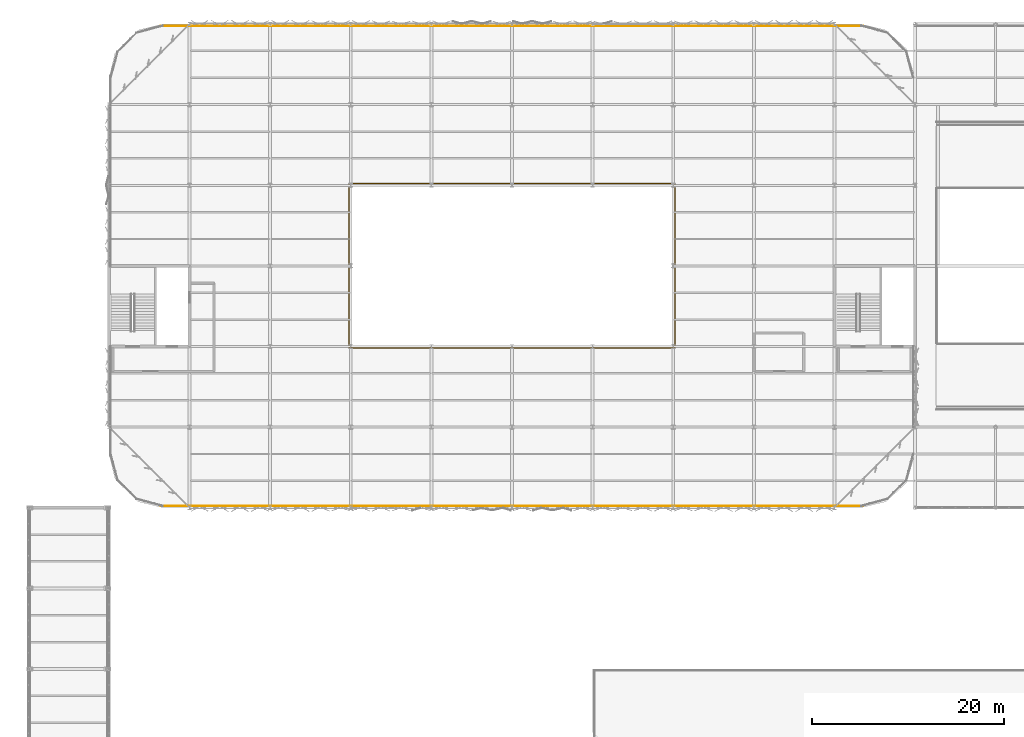
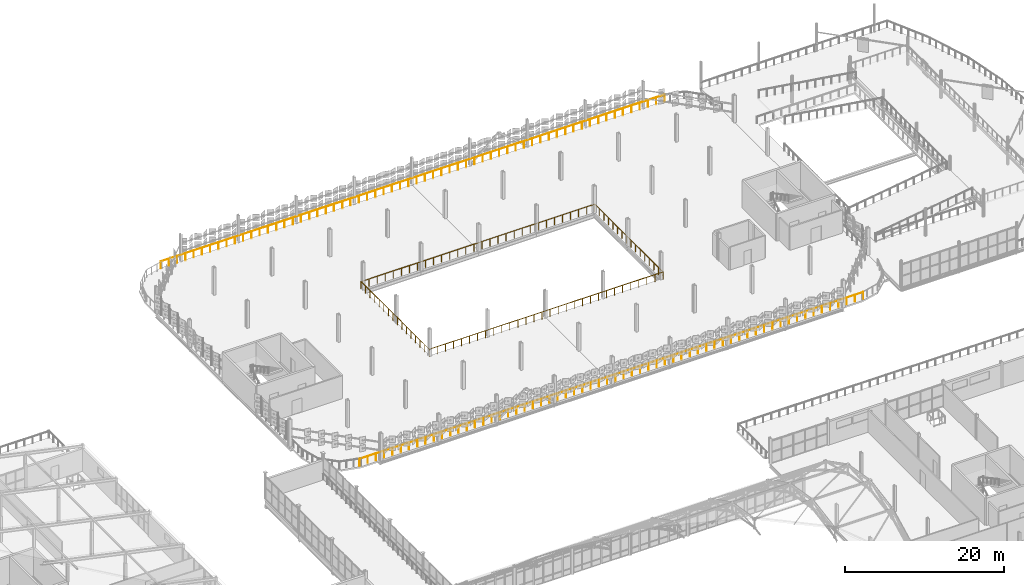
# One storey, part 179 of 184: 3 railings.
"""IFC4 building model written with IfcOpenShell, lengths in metres."""

from ifc_helpers import new_model, si_unit, direction, frame, origin, origin_2d, place, context, subcontext, project, spatial, circle, extrude, material, type_object, element, save


model = new_model("IFC4")

# Units and contexts
model_context = context("Model", 3, precision=1e-05, world=origin(), true_north=direction((0.0, 1.0)))
body_context = subcontext(model_context, "Body", "Model", "MODEL_VIEW")
ifc_project = project(units=[si_unit("LENGTHUNIT", "METRE"), si_unit("AREAUNIT", "SQUARE_METRE"), si_unit("VOLUMEUNIT", "CUBIC_METRE"), si_unit("PLANEANGLEUNIT", "RADIAN"), si_unit("MASSUNIT", "GRAM", prefix="KILO")], contexts=[model_context])

# Site, building, storey
site_placement = place(None, origin())
site = spatial("IfcSite", under=ifc_project, at=site_placement, CompositionType="ELEMENT")
building_placement = place(site_placement, origin())
building = spatial("IfcBuilding", under=site, at=building_placement, Name="Qalvenar Corner Mobility Hub", CompositionType="ELEMENT")
storey_placement = place(building_placement, frame((0.0, 0.0, 9.0)))
storey = spatial("IfcBuildingStorey", under=building, at=storey_placement, Name="L02", CompositionType="ELEMENT", Elevation=9.0)

# Railings
ifc_material = material(Name="Galvanised Steel Deck Edge Barrier", Category="steel")
railing_type = type_object("IfcRailingType", Name="RL-GUARD-115", PredefinedType="GUARDRAIL", material=ifc_material)
railing_1_placement = place(storey_placement, frame((64.199951171875, 67.3798828125, 0.0)))
element("IfcRailing", 1, at=railing_1_placement, inside=storey, type_object=railing_type, Name="Parking Deck South Barrier L02", PredefinedType="GUARDRAIL", context=body_context, shape_type="SweptSolid", body=[
    extrude(circle(Radius=0.02392578125, at=origin_2d()), frame((0.0, 0.0, 1.1259765625), z_axis=(1.0, 0.0, 0.0), x_axis=(0.0, 1.0, 0.0)), (0.0, 0.0, 1.0), 73.199951171875),
    extrude(circle(Radius=0.02099609375, at=origin_2d()), origin(), (0.0, 0.0, 1.0), 1.101806640625),
    extrude(circle(Radius=0.02099609375, at=origin_2d()), frame((1.199951171875, 0.0, 0.0)), (0.0, 0.0, 1.0), 1.101806640625),
    extrude(circle(Radius=0.02099609375, at=origin_2d()), frame((2.39990234375, 0.0, 0.0)), (0.0, 0.0, 1.0), 1.101806640625),
    extrude(circle(Radius=0.02099609375, at=origin_2d()), frame((3.60009765625, 0.0, 0.0)), (0.0, 0.0, 1.0), 1.101806640625),
    extrude(circle(Radius=0.02099609375, at=origin_2d()), frame((4.800048828125, 0.0, 0.0)), (0.0, 0.0, 1.0), 1.101806640625),
    extrude(circle(Radius=0.02099609375, at=origin_2d()), frame((6.0, 0.0, 0.0)), (0.0, 0.0, 1.0), 1.101806640625),
    extrude(circle(Radius=0.02099609375, at=origin_2d()), frame((7.199951171875, 0.0, 0.0)), (0.0, 0.0, 1.0), 1.101806640625),
    extrude(circle(Radius=0.02099609375, at=origin_2d()), frame((8.39990234375, 0.0, 0.0)), (0.0, 0.0, 1.0), 1.101806640625),
    extrude(circle(Radius=0.02099609375, at=origin_2d()), frame((9.60009765625, 0.0, 0.0)), (0.0, 0.0, 1.0), 1.101806640625),
    extrude(circle(Radius=0.02099609375, at=origin_2d()), frame((10.800048828125, 0.0, 0.0)), (0.0, 0.0, 1.0), 1.101806640625),
    extrude(circle(Radius=0.02099609375, at=origin_2d()), frame((12.0, 0.0, 0.0)), (0.0, 0.0, 1.0), 1.101806640625),
    extrude(circle(Radius=0.02099609375, at=origin_2d()), frame((13.199951171875, 0.0, 0.0)), (0.0, 0.0, 1.0), 1.101806640625),
    extrude(circle(Radius=0.02099609375, at=origin_2d()), frame((14.39990234375, 0.0, 0.0)), (0.0, 0.0, 1.0), 1.101806640625),
    extrude(circle(Radius=0.02099609375, at=origin_2d()), frame((15.60009765625, 0.0, 0.0)), (0.0, 0.0, 1.0), 1.101806640625),
    extrude(circle(Radius=0.02099609375, at=origin_2d()), frame((16.800048828125, 0.0, 0.0)), (0.0, 0.0, 1.0), 1.101806640625),
    extrude(circle(Radius=0.02099609375, at=origin_2d()), frame((18.0, 0.0, 0.0)), (0.0, 0.0, 1.0), 1.101806640625),
    extrude(circle(Radius=0.02099609375, at=origin_2d()), frame((19.199951171875, 0.0, 0.0)), (0.0, 0.0, 1.0), 1.101806640625),
    extrude(circle(Radius=0.02099609375, at=origin_2d()), frame((20.39990234375, 0.0, 0.0)), (0.0, 0.0, 1.0), 1.101806640625),
    extrude(circle(Radius=0.02099609375, at=origin_2d()), frame((21.60009765625, 0.0, 0.0)), (0.0, 0.0, 1.0), 1.101806640625),
    extrude(circle(Radius=0.02099609375, at=origin_2d()), frame((22.800048828125, 0.0, 0.0)), (0.0, 0.0, 1.0), 1.101806640625),
    extrude(circle(Radius=0.02099609375, at=origin_2d()), frame((24.0, 0.0, 0.0)), (0.0, 0.0, 1.0), 1.101806640625),
    extrude(circle(Radius=0.02099609375, at=origin_2d()), frame((25.199951171875, 0.0, 0.0)), (0.0, 0.0, 1.0), 1.101806640625),
    extrude(circle(Radius=0.02099609375, at=origin_2d()), frame((26.39990234375, 0.0, 0.0)), (0.0, 0.0, 1.0), 1.101806640625),
    extrude(circle(Radius=0.02099609375, at=origin_2d()), frame((27.60009765625, 0.0, 0.0)), (0.0, 0.0, 1.0), 1.101806640625),
    extrude(circle(Radius=0.02099609375, at=origin_2d()), frame((28.800048828125, 0.0, 0.0)), (0.0, 0.0, 1.0), 1.101806640625),
    extrude(circle(Radius=0.02099609375, at=origin_2d()), frame((30.0, 0.0, 0.0)), (0.0, 0.0, 1.0), 1.101806640625),
    extrude(circle(Radius=0.02099609375, at=origin_2d()), frame((31.199951171875, 0.0, 0.0)), (0.0, 0.0, 1.0), 1.101806640625),
    extrude(circle(Radius=0.02099609375, at=origin_2d()), frame((32.39990234375, 0.0, 0.0)), (0.0, 0.0, 1.0), 1.101806640625),
    extrude(circle(Radius=0.02099609375, at=origin_2d()), frame((33.60009765625, 0.0, 0.0)), (0.0, 0.0, 1.0), 1.101806640625),
    extrude(circle(Radius=0.02099609375, at=origin_2d()), frame((34.800048828125, 0.0, 0.0)), (0.0, 0.0, 1.0), 1.101806640625),
    extrude(circle(Radius=0.02099609375, at=origin_2d()), frame((36.0, 0.0, 0.0)), (0.0, 0.0, 1.0), 1.101806640625),
    extrude(circle(Radius=0.02099609375, at=origin_2d()), frame((37.199951171875, 0.0, 0.0)), (0.0, 0.0, 1.0), 1.101806640625),
    extrude(circle(Radius=0.02099609375, at=origin_2d()), frame((38.39990234375, 0.0, 0.0)), (0.0, 0.0, 1.0), 1.101806640625),
    extrude(circle(Radius=0.02099609375, at=origin_2d()), frame((39.599853515625, 0.0, 0.0)), (0.0, 0.0, 1.0), 1.101806640625),
    extrude(circle(Radius=0.02099609375, at=origin_2d()), frame((40.800048828125, 0.0, 0.0)), (0.0, 0.0, 1.0), 1.101806640625),
    extrude(circle(Radius=0.02099609375, at=origin_2d()), frame((42.0, 0.0, 0.0)), (0.0, 0.0, 1.0), 1.101806640625),
    extrude(circle(Radius=0.02099609375, at=origin_2d()), frame((43.199951171875, 0.0, 0.0)), (0.0, 0.0, 1.0), 1.101806640625),
    extrude(circle(Radius=0.02099609375, at=origin_2d()), frame((44.39990234375, 0.0, 0.0)), (0.0, 0.0, 1.0), 1.101806640625),
    extrude(circle(Radius=0.02099609375, at=origin_2d()), frame((45.599853515625, 0.0, 0.0)), (0.0, 0.0, 1.0), 1.101806640625),
    extrude(circle(Radius=0.02099609375, at=origin_2d()), frame((46.800048828125, 0.0, 0.0)), (0.0, 0.0, 1.0), 1.101806640625),
    extrude(circle(Radius=0.02099609375, at=origin_2d()), frame((48.0, 0.0, 0.0)), (0.0, 0.0, 1.0), 1.101806640625),
    extrude(circle(Radius=0.02099609375, at=origin_2d()), frame((49.199951171875, 0.0, 0.0)), (0.0, 0.0, 1.0), 1.101806640625),
    extrude(circle(Radius=0.02099609375, at=origin_2d()), frame((50.39990234375, 0.0, 0.0)), (0.0, 0.0, 1.0), 1.101806640625),
    extrude(circle(Radius=0.02099609375, at=origin_2d()), frame((51.599853515625, 0.0, 0.0)), (0.0, 0.0, 1.0), 1.101806640625),
    extrude(circle(Radius=0.02099609375, at=origin_2d()), frame((52.800048828125, 0.0, 0.0)), (0.0, 0.0, 1.0), 1.101806640625),
    extrude(circle(Radius=0.02099609375, at=origin_2d()), frame((54.0, 0.0, 0.0)), (0.0, 0.0, 1.0), 1.101806640625),
    extrude(circle(Radius=0.02099609375, at=origin_2d()), frame((55.199951171875, 0.0, 0.0)), (0.0, 0.0, 1.0), 1.101806640625),
    extrude(circle(Radius=0.02099609375, at=origin_2d()), frame((56.39990234375, 0.0, 0.0)), (0.0, 0.0, 1.0), 1.101806640625),
    extrude(circle(Radius=0.02099609375, at=origin_2d()), frame((57.599853515625, 0.0, 0.0)), (0.0, 0.0, 1.0), 1.101806640625),
    extrude(circle(Radius=0.02099609375, at=origin_2d()), frame((58.800048828125, 0.0, 0.0)), (0.0, 0.0, 1.0), 1.101806640625),
    extrude(circle(Radius=0.02099609375, at=origin_2d()), frame((60.0, 0.0, 0.0)), (0.0, 0.0, 1.0), 1.101806640625),
    extrude(circle(Radius=0.02099609375, at=origin_2d()), frame((61.199951171875, 0.0, 0.0)), (0.0, 0.0, 1.0), 1.101806640625),
    extrude(circle(Radius=0.02099609375, at=origin_2d()), frame((62.39990234375, 0.0, 0.0)), (0.0, 0.0, 1.0), 1.101806640625),
    extrude(circle(Radius=0.02099609375, at=origin_2d()), frame((63.599853515625, 0.0, 0.0)), (0.0, 0.0, 1.0), 1.101806640625),
    extrude(circle(Radius=0.02099609375, at=origin_2d()), frame((64.800048828125, 0.0, 0.0)), (0.0, 0.0, 1.0), 1.101806640625),
    extrude(circle(Radius=0.02099609375, at=origin_2d()), frame((66.0, 0.0, 0.0)), (0.0, 0.0, 1.0), 1.101806640625),
    extrude(circle(Radius=0.02099609375, at=origin_2d()), frame((67.199951171875, 0.0, 0.0)), (0.0, 0.0, 1.0), 1.101806640625),
    extrude(circle(Radius=0.02099609375, at=origin_2d()), frame((68.39990234375, 0.0, 0.0)), (0.0, 0.0, 1.0), 1.101806640625),
    extrude(circle(Radius=0.02099609375, at=origin_2d()), frame((69.599853515625, 0.0, 0.0)), (0.0, 0.0, 1.0), 1.101806640625),
    extrude(circle(Radius=0.02099609375, at=origin_2d()), frame((70.800048828125, 0.0, 0.0)), (0.0, 0.0, 1.0), 1.101806640625),
    extrude(circle(Radius=0.02099609375, at=origin_2d()), frame((72.0, 0.0, 0.0)), (0.0, 0.0, 1.0), 1.101806640625),
    extrude(circle(Radius=0.02099609375, at=origin_2d()), frame((73.199951171875, 0.0, 0.0)), (0.0, 0.0, 1.0), 1.101806640625),
])
railing_2_placement = place(storey_placement, frame((137.39990234375, 117.419921875, 0.0)))
element("IfcRailing", 2, at=railing_2_placement, inside=storey, type_object=railing_type, Name="Parking Deck North Barrier L02", PredefinedType="GUARDRAIL", context=body_context, shape_type="SweptSolid", body=[
    extrude(circle(Radius=0.02392578125, at=origin_2d()), frame((0.0, 0.0, 1.1259765625), z_axis=(-1.0, 0.0, 0.0), x_axis=(0.0, -1.0, 0.0)), (0.0, 0.0, 1.0), 73.199951171875),
    extrude(circle(Radius=0.02099609375, at=origin_2d()), origin(), (0.0, 0.0, 1.0), 1.101806640625),
    extrude(circle(Radius=0.02099609375, at=origin_2d()), frame((-1.199951171875, 0.0, 0.0)), (0.0, 0.0, 1.0), 1.101806640625),
    extrude(circle(Radius=0.02099609375, at=origin_2d()), frame((-2.39990234375, 0.0, 0.0)), (0.0, 0.0, 1.0), 1.101806640625),
    extrude(circle(Radius=0.02099609375, at=origin_2d()), frame((-3.60009765625, 0.0, 0.0)), (0.0, 0.0, 1.0), 1.101806640625),
    extrude(circle(Radius=0.02099609375, at=origin_2d()), frame((-4.800048828125, 0.0, 0.0)), (0.0, 0.0, 1.0), 1.101806640625),
    extrude(circle(Radius=0.02099609375, at=origin_2d()), frame((-6.0, 0.0, 0.0)), (0.0, 0.0, 1.0), 1.101806640625),
    extrude(circle(Radius=0.02099609375, at=origin_2d()), frame((-7.199951171875, 0.0, 0.0)), (0.0, 0.0, 1.0), 1.101806640625),
    extrude(circle(Radius=0.02099609375, at=origin_2d()), frame((-8.39990234375, 0.0, 0.0)), (0.0, 0.0, 1.0), 1.101806640625),
    extrude(circle(Radius=0.02099609375, at=origin_2d()), frame((-9.60009765625, 0.0, 0.0)), (0.0, 0.0, 1.0), 1.101806640625),
    extrude(circle(Radius=0.02099609375, at=origin_2d()), frame((-10.800048828125, 0.0, 0.0)), (0.0, 0.0, 1.0), 1.101806640625),
    extrude(circle(Radius=0.02099609375, at=origin_2d()), frame((-12.0, 0.0, 0.0)), (0.0, 0.0, 1.0), 1.101806640625),
    extrude(circle(Radius=0.02099609375, at=origin_2d()), frame((-13.199951171875, 0.0, 0.0)), (0.0, 0.0, 1.0), 1.101806640625),
    extrude(circle(Radius=0.02099609375, at=origin_2d()), frame((-14.39990234375, 0.0, 0.0)), (0.0, 0.0, 1.0), 1.101806640625),
    extrude(circle(Radius=0.02099609375, at=origin_2d()), frame((-15.60009765625, 0.0, 0.0)), (0.0, 0.0, 1.0), 1.101806640625),
    extrude(circle(Radius=0.02099609375, at=origin_2d()), frame((-16.800048828125, 0.0, 0.0)), (0.0, 0.0, 1.0), 1.101806640625),
    extrude(circle(Radius=0.02099609375, at=origin_2d()), frame((-18.0, 0.0, 0.0)), (0.0, 0.0, 1.0), 1.101806640625),
    extrude(circle(Radius=0.02099609375, at=origin_2d()), frame((-19.199951171875, 0.0, 0.0)), (0.0, 0.0, 1.0), 1.101806640625),
    extrude(circle(Radius=0.02099609375, at=origin_2d()), frame((-20.39990234375, 0.0, 0.0)), (0.0, 0.0, 1.0), 1.101806640625),
    extrude(circle(Radius=0.02099609375, at=origin_2d()), frame((-21.60009765625, 0.0, 0.0)), (0.0, 0.0, 1.0), 1.101806640625),
    extrude(circle(Radius=0.02099609375, at=origin_2d()), frame((-22.800048828125, 0.0, 0.0)), (0.0, 0.0, 1.0), 1.101806640625),
    extrude(circle(Radius=0.02099609375, at=origin_2d()), frame((-24.0, 0.0, 0.0)), (0.0, 0.0, 1.0), 1.101806640625),
    extrude(circle(Radius=0.02099609375, at=origin_2d()), frame((-25.199951171875, 0.0, 0.0)), (0.0, 0.0, 1.0), 1.101806640625),
    extrude(circle(Radius=0.02099609375, at=origin_2d()), frame((-26.39990234375, 0.0, 0.0)), (0.0, 0.0, 1.0), 1.101806640625),
    extrude(circle(Radius=0.02099609375, at=origin_2d()), frame((-27.60009765625, 0.0, 0.0)), (0.0, 0.0, 1.0), 1.101806640625),
    extrude(circle(Radius=0.02099609375, at=origin_2d()), frame((-28.800048828125, 0.0, 0.0)), (0.0, 0.0, 1.0), 1.101806640625),
    extrude(circle(Radius=0.02099609375, at=origin_2d()), frame((-30.0, 0.0, 0.0)), (0.0, 0.0, 1.0), 1.101806640625),
    extrude(circle(Radius=0.02099609375, at=origin_2d()), frame((-31.199951171875, 0.0, 0.0)), (0.0, 0.0, 1.0), 1.101806640625),
    extrude(circle(Radius=0.02099609375, at=origin_2d()), frame((-32.39990234375, 0.0, 0.0)), (0.0, 0.0, 1.0), 1.101806640625),
    extrude(circle(Radius=0.02099609375, at=origin_2d()), frame((-33.60009765625, 0.0, 0.0)), (0.0, 0.0, 1.0), 1.101806640625),
    extrude(circle(Radius=0.02099609375, at=origin_2d()), frame((-34.800048828125, 0.0, 0.0)), (0.0, 0.0, 1.0), 1.101806640625),
    extrude(circle(Radius=0.02099609375, at=origin_2d()), frame((-36.0, 0.0, 0.0)), (0.0, 0.0, 1.0), 1.101806640625),
    extrude(circle(Radius=0.02099609375, at=origin_2d()), frame((-37.199951171875, 0.0, 0.0)), (0.0, 0.0, 1.0), 1.101806640625),
    extrude(circle(Radius=0.02099609375, at=origin_2d()), frame((-38.39990234375, 0.0, 0.0)), (0.0, 0.0, 1.0), 1.101806640625),
    extrude(circle(Radius=0.02099609375, at=origin_2d()), frame((-39.599853515625, 0.0, 0.0)), (0.0, 0.0, 1.0), 1.101806640625),
    extrude(circle(Radius=0.02099609375, at=origin_2d()), frame((-40.800048828125, 0.0, 0.0)), (0.0, 0.0, 1.0), 1.101806640625),
    extrude(circle(Radius=0.02099609375, at=origin_2d()), frame((-42.0, 0.0, 0.0)), (0.0, 0.0, 1.0), 1.101806640625),
    extrude(circle(Radius=0.02099609375, at=origin_2d()), frame((-43.199951171875, 0.0, 0.0)), (0.0, 0.0, 1.0), 1.101806640625),
    extrude(circle(Radius=0.02099609375, at=origin_2d()), frame((-44.39990234375, 0.0, 0.0)), (0.0, 0.0, 1.0), 1.101806640625),
    extrude(circle(Radius=0.02099609375, at=origin_2d()), frame((-45.599853515625, 0.0, 0.0)), (0.0, 0.0, 1.0), 1.101806640625),
    extrude(circle(Radius=0.02099609375, at=origin_2d()), frame((-46.800048828125, 0.0, 0.0)), (0.0, 0.0, 1.0), 1.101806640625),
    extrude(circle(Radius=0.02099609375, at=origin_2d()), frame((-48.0, 0.0, 0.0)), (0.0, 0.0, 1.0), 1.101806640625),
    extrude(circle(Radius=0.02099609375, at=origin_2d()), frame((-49.199951171875, 0.0, 0.0)), (0.0, 0.0, 1.0), 1.101806640625),
    extrude(circle(Radius=0.02099609375, at=origin_2d()), frame((-50.39990234375, 0.0, 0.0)), (0.0, 0.0, 1.0), 1.101806640625),
    extrude(circle(Radius=0.02099609375, at=origin_2d()), frame((-51.599853515625, 0.0, 0.0)), (0.0, 0.0, 1.0), 1.101806640625),
    extrude(circle(Radius=0.02099609375, at=origin_2d()), frame((-52.800048828125, 0.0, 0.0)), (0.0, 0.0, 1.0), 1.101806640625),
    extrude(circle(Radius=0.02099609375, at=origin_2d()), frame((-54.0, 0.0, 0.0)), (0.0, 0.0, 1.0), 1.101806640625),
    extrude(circle(Radius=0.02099609375, at=origin_2d()), frame((-55.199951171875, 0.0, 0.0)), (0.0, 0.0, 1.0), 1.101806640625),
    extrude(circle(Radius=0.02099609375, at=origin_2d()), frame((-56.39990234375, 0.0, 0.0)), (0.0, 0.0, 1.0), 1.101806640625),
    extrude(circle(Radius=0.02099609375, at=origin_2d()), frame((-57.599853515625, 0.0, 0.0)), (0.0, 0.0, 1.0), 1.101806640625),
    extrude(circle(Radius=0.02099609375, at=origin_2d()), frame((-58.800048828125, 0.0, 0.0)), (0.0, 0.0, 1.0), 1.101806640625),
    extrude(circle(Radius=0.02099609375, at=origin_2d()), frame((-60.0, 0.0, 0.0)), (0.0, 0.0, 1.0), 1.101806640625),
    extrude(circle(Radius=0.02099609375, at=origin_2d()), frame((-61.199951171875, 0.0, 0.0)), (0.0, 0.0, 1.0), 1.101806640625),
    extrude(circle(Radius=0.02099609375, at=origin_2d()), frame((-62.39990234375, 0.0, 0.0)), (0.0, 0.0, 1.0), 1.101806640625),
    extrude(circle(Radius=0.02099609375, at=origin_2d()), frame((-63.599853515625, 0.0, 0.0)), (0.0, 0.0, 1.0), 1.101806640625),
    extrude(circle(Radius=0.02099609375, at=origin_2d()), frame((-64.800048828125, 0.0, 0.0)), (0.0, 0.0, 1.0), 1.101806640625),
    extrude(circle(Radius=0.02099609375, at=origin_2d()), frame((-66.0, 0.0, 0.0)), (0.0, 0.0, 1.0), 1.101806640625),
    extrude(circle(Radius=0.02099609375, at=origin_2d()), frame((-67.199951171875, 0.0, 0.0)), (0.0, 0.0, 1.0), 1.101806640625),
    extrude(circle(Radius=0.02099609375, at=origin_2d()), frame((-68.39990234375, 0.0, 0.0)), (0.0, 0.0, 1.0), 1.101806640625),
    extrude(circle(Radius=0.02099609375, at=origin_2d()), frame((-69.599853515625, 0.0, 0.0)), (0.0, 0.0, 1.0), 1.101806640625),
    extrude(circle(Radius=0.02099609375, at=origin_2d()), frame((-70.800048828125, 0.0, 0.0)), (0.0, 0.0, 1.0), 1.101806640625),
    extrude(circle(Radius=0.02099609375, at=origin_2d()), frame((-72.0, 0.0, 0.0)), (0.0, 0.0, 1.0), 1.101806640625),
    extrude(circle(Radius=0.02099609375, at=origin_2d()), frame((-73.199951171875, 0.0, 0.0)), (0.0, 0.0, 1.0), 1.101806640625),
])
railing_3_placement = place(storey_placement, frame((83.820068359375, 83.820068359375, 0.0)))
element("IfcRailing", 3, at=railing_3_placement, inside=storey, type_object=railing_type, Name="Lightwell Perimeter Guardrail L02", PredefinedType="GUARDRAIL", context=body_context, shape_type="SweptSolid", body=[
    extrude(circle(Radius=0.02392578125, at=origin_2d()), frame((0.0, 0.0, 1.1259765625), z_axis=(1.0, 0.0, 0.0), x_axis=(0.0, 1.0, 0.0)), (0.0, 0.0, 1.0), 33.9599609375),
    extrude(circle(Radius=0.02392578125, at=origin_2d()), frame((33.9599609375, 0.0, 1.1259765625), z_axis=(0.0, 1.0, 0.0), x_axis=(-1.0, 0.0, 0.0)), (0.0, 0.0, 1.0), 17.159912109375),
    extrude(circle(Radius=0.02392578125, at=origin_2d()), frame((33.9599609375, 17.159912109375, 1.1259765625), z_axis=(-1.0, 0.0, 0.0), x_axis=(0.0, -1.0, 0.0)), (0.0, 0.0, 1.0), 33.9599609375),
    extrude(circle(Radius=0.02392578125, at=origin_2d()), frame((0.0, 17.159912109375, 1.1259765625), z_axis=(0.0, -1.0, 0.0), x_axis=(1.0, 0.0, 0.0)), (0.0, 0.0, 1.0), 17.159912109375),
    extrude(circle(Radius=0.02099609375, at=origin_2d()), origin(), (0.0, 0.0, 1.0), 1.101806640625),
    extrude(circle(Radius=0.02099609375, at=origin_2d()), frame((1.171142578125, 0.0, 0.0)), (0.0, 0.0, 1.0), 1.101806640625),
    extrude(circle(Radius=0.02099609375, at=origin_2d()), frame((2.342041015625, 0.0, 0.0)), (0.0, 0.0, 1.0), 1.101806640625),
    extrude(circle(Radius=0.02099609375, at=origin_2d()), frame((3.51318359375, 0.0, 0.0)), (0.0, 0.0, 1.0), 1.101806640625),
    extrude(circle(Radius=0.02099609375, at=origin_2d()), frame((4.68408203125, 0.0, 0.0)), (0.0, 0.0, 1.0), 1.101806640625),
    extrude(circle(Radius=0.02099609375, at=origin_2d()), frame((5.855224609375, 0.0, 0.0)), (0.0, 0.0, 1.0), 1.101806640625),
    extrude(circle(Radius=0.02099609375, at=origin_2d()), frame((7.026123046875, 0.0, 0.0)), (0.0, 0.0, 1.0), 1.101806640625),
    extrude(circle(Radius=0.02099609375, at=origin_2d()), frame((8.197265625, 0.0, 0.0)), (0.0, 0.0, 1.0), 1.101806640625),
    extrude(circle(Radius=0.02099609375, at=origin_2d()), frame((9.3681640625, 0.0, 0.0)), (0.0, 0.0, 1.0), 1.101806640625),
    extrude(circle(Radius=0.02099609375, at=origin_2d()), frame((10.539306640625, 0.0, 0.0)), (0.0, 0.0, 1.0), 1.101806640625),
    extrude(circle(Radius=0.02099609375, at=origin_2d()), frame((11.71044921875, 0.0, 0.0)), (0.0, 0.0, 1.0), 1.101806640625),
    extrude(circle(Radius=0.02099609375, at=origin_2d()), frame((12.88134765625, 0.0, 0.0)), (0.0, 0.0, 1.0), 1.101806640625),
    extrude(circle(Radius=0.02099609375, at=origin_2d()), frame((14.052490234375, 0.0, 0.0)), (0.0, 0.0, 1.0), 1.101806640625),
    extrude(circle(Radius=0.02099609375, at=origin_2d()), frame((15.223388671875, 0.0, 0.0)), (0.0, 0.0, 1.0), 1.101806640625),
    extrude(circle(Radius=0.02099609375, at=origin_2d()), frame((16.39453125, 0.0, 0.0)), (0.0, 0.0, 1.0), 1.101806640625),
    extrude(circle(Radius=0.02099609375, at=origin_2d()), frame((17.5654296875, 0.0, 0.0)), (0.0, 0.0, 1.0), 1.101806640625),
    extrude(circle(Radius=0.02099609375, at=origin_2d()), frame((18.736572265625, 0.0, 0.0)), (0.0, 0.0, 1.0), 1.101806640625),
    extrude(circle(Radius=0.02099609375, at=origin_2d()), frame((19.907470703125, 0.0, 0.0)), (0.0, 0.0, 1.0), 1.101806640625),
    extrude(circle(Radius=0.02099609375, at=origin_2d()), frame((21.07861328125, 0.0, 0.0)), (0.0, 0.0, 1.0), 1.101806640625),
    extrude(circle(Radius=0.02099609375, at=origin_2d()), frame((22.24951171875, 0.0, 0.0)), (0.0, 0.0, 1.0), 1.101806640625),
    extrude(circle(Radius=0.02099609375, at=origin_2d()), frame((23.420654296875, 0.0, 0.0)), (0.0, 0.0, 1.0), 1.101806640625),
    extrude(circle(Radius=0.02099609375, at=origin_2d()), frame((24.591796875, 0.0, 0.0)), (0.0, 0.0, 1.0), 1.101806640625),
    extrude(circle(Radius=0.02099609375, at=origin_2d()), frame((25.7626953125, 0.0, 0.0)), (0.0, 0.0, 1.0), 1.101806640625),
    extrude(circle(Radius=0.02099609375, at=origin_2d()), frame((26.933837890625, 0.0, 0.0)), (0.0, 0.0, 1.0), 1.101806640625),
    extrude(circle(Radius=0.02099609375, at=origin_2d()), frame((28.104736328125, 0.0, 0.0)), (0.0, 0.0, 1.0), 1.101806640625),
    extrude(circle(Radius=0.02099609375, at=origin_2d()), frame((29.27587890625, 0.0, 0.0)), (0.0, 0.0, 1.0), 1.101806640625),
    extrude(circle(Radius=0.02099609375, at=origin_2d()), frame((30.44677734375, 0.0, 0.0)), (0.0, 0.0, 1.0), 1.101806640625),
    extrude(circle(Radius=0.02099609375, at=origin_2d()), frame((31.617919921875, 0.0, 0.0)), (0.0, 0.0, 1.0), 1.101806640625),
    extrude(circle(Radius=0.02099609375, at=origin_2d()), frame((32.788818359375, 0.0, 0.0)), (0.0, 0.0, 1.0), 1.101806640625),
    extrude(circle(Radius=0.02099609375, at=origin_2d()), frame((33.9599609375, 0.0, 0.0)), (0.0, 0.0, 1.0), 1.101806640625),
    extrude(circle(Radius=0.02099609375, at=origin_2d()), frame((33.9599609375, 1.14404296875, 0.0)), (0.0, 0.0, 1.0), 1.101806640625),
    extrude(circle(Radius=0.02099609375, at=origin_2d()), frame((33.9599609375, 2.2880859375, 0.0)), (0.0, 0.0, 1.0), 1.101806640625),
    extrude(circle(Radius=0.02099609375, at=origin_2d()), frame((33.9599609375, 3.431884765625, 0.0)), (0.0, 0.0, 1.0), 1.101806640625),
    extrude(circle(Radius=0.02099609375, at=origin_2d()), frame((33.9599609375, 4.575927734375, 0.0)), (0.0, 0.0, 1.0), 1.101806640625),
    extrude(circle(Radius=0.02099609375, at=origin_2d()), frame((33.9599609375, 5.719970703125, 0.0)), (0.0, 0.0, 1.0), 1.101806640625),
    extrude(circle(Radius=0.02099609375, at=origin_2d()), frame((33.9599609375, 6.864013671875, 0.0)), (0.0, 0.0, 1.0), 1.101806640625),
    extrude(circle(Radius=0.02099609375, at=origin_2d()), frame((33.9599609375, 8.008056640625, 0.0)), (0.0, 0.0, 1.0), 1.101806640625),
    extrude(circle(Radius=0.02099609375, at=origin_2d()), frame((33.9599609375, 9.15185546875, 0.0)), (0.0, 0.0, 1.0), 1.101806640625),
    extrude(circle(Radius=0.02099609375, at=origin_2d()), frame((33.9599609375, 10.2958984375, 0.0)), (0.0, 0.0, 1.0), 1.101806640625),
    extrude(circle(Radius=0.02099609375, at=origin_2d()), frame((33.9599609375, 11.43994140625, 0.0)), (0.0, 0.0, 1.0), 1.101806640625),
    extrude(circle(Radius=0.02099609375, at=origin_2d()), frame((33.9599609375, 12.583984375, 0.0)), (0.0, 0.0, 1.0), 1.101806640625),
    extrude(circle(Radius=0.02099609375, at=origin_2d()), frame((33.9599609375, 13.72802734375, 0.0)), (0.0, 0.0, 1.0), 1.101806640625),
    extrude(circle(Radius=0.02099609375, at=origin_2d()), frame((33.9599609375, 14.871826171875, 0.0)), (0.0, 0.0, 1.0), 1.101806640625),
    extrude(circle(Radius=0.02099609375, at=origin_2d()), frame((33.9599609375, 16.015869140625, 0.0)), (0.0, 0.0, 1.0), 1.101806640625),
    extrude(circle(Radius=0.02099609375, at=origin_2d()), frame((33.9599609375, 17.159912109375, 0.0)), (0.0, 0.0, 1.0), 1.101806640625),
    extrude(circle(Radius=0.02099609375, at=origin_2d()), frame((32.788818359375, 17.159912109375, 0.0)), (0.0, 0.0, 1.0), 1.101806640625),
    extrude(circle(Radius=0.02099609375, at=origin_2d()), frame((31.617919921875, 17.159912109375, 0.0)), (0.0, 0.0, 1.0), 1.101806640625),
    extrude(circle(Radius=0.02099609375, at=origin_2d()), frame((30.44677734375, 17.159912109375, 0.0)), (0.0, 0.0, 1.0), 1.101806640625),
    extrude(circle(Radius=0.02099609375, at=origin_2d()), frame((29.27587890625, 17.159912109375, 0.0)), (0.0, 0.0, 1.0), 1.101806640625),
    extrude(circle(Radius=0.02099609375, at=origin_2d()), frame((28.104736328125, 17.159912109375, 0.0)), (0.0, 0.0, 1.0), 1.101806640625),
    extrude(circle(Radius=0.02099609375, at=origin_2d()), frame((26.933837890625, 17.159912109375, 0.0)), (0.0, 0.0, 1.0), 1.101806640625),
    extrude(circle(Radius=0.02099609375, at=origin_2d()), frame((25.7626953125, 17.159912109375, 0.0)), (0.0, 0.0, 1.0), 1.101806640625),
    extrude(circle(Radius=0.02099609375, at=origin_2d()), frame((24.591796875, 17.159912109375, 0.0)), (0.0, 0.0, 1.0), 1.101806640625),
    extrude(circle(Radius=0.02099609375, at=origin_2d()), frame((23.420654296875, 17.159912109375, 0.0)), (0.0, 0.0, 1.0), 1.101806640625),
    extrude(circle(Radius=0.02099609375, at=origin_2d()), frame((22.24951171875, 17.159912109375, 0.0)), (0.0, 0.0, 1.0), 1.101806640625),
    extrude(circle(Radius=0.02099609375, at=origin_2d()), frame((21.07861328125, 17.159912109375, 0.0)), (0.0, 0.0, 1.0), 1.101806640625),
    extrude(circle(Radius=0.02099609375, at=origin_2d()), frame((19.907470703125, 17.159912109375, 0.0)), (0.0, 0.0, 1.0), 1.101806640625),
    extrude(circle(Radius=0.02099609375, at=origin_2d()), frame((18.736572265625, 17.159912109375, 0.0)), (0.0, 0.0, 1.0), 1.101806640625),
    extrude(circle(Radius=0.02099609375, at=origin_2d()), frame((17.5654296875, 17.159912109375, 0.0)), (0.0, 0.0, 1.0), 1.101806640625),
    extrude(circle(Radius=0.02099609375, at=origin_2d()), frame((16.39453125, 17.159912109375, 0.0)), (0.0, 0.0, 1.0), 1.101806640625),
    extrude(circle(Radius=0.02099609375, at=origin_2d()), frame((15.223388671875, 17.159912109375, 0.0)), (0.0, 0.0, 1.0), 1.101806640625),
    extrude(circle(Radius=0.02099609375, at=origin_2d()), frame((14.052490234375, 17.159912109375, 0.0)), (0.0, 0.0, 1.0), 1.101806640625),
    extrude(circle(Radius=0.02099609375, at=origin_2d()), frame((12.88134765625, 17.159912109375, 0.0)), (0.0, 0.0, 1.0), 1.101806640625),
    extrude(circle(Radius=0.02099609375, at=origin_2d()), frame((11.71044921875, 17.159912109375, 0.0)), (0.0, 0.0, 1.0), 1.101806640625),
    extrude(circle(Radius=0.02099609375, at=origin_2d()), frame((10.539306640625, 17.159912109375, 0.0)), (0.0, 0.0, 1.0), 1.101806640625),
    extrude(circle(Radius=0.02099609375, at=origin_2d()), frame((9.3681640625, 17.159912109375, 0.0)), (0.0, 0.0, 1.0), 1.101806640625),
    extrude(circle(Radius=0.02099609375, at=origin_2d()), frame((8.197265625, 17.159912109375, 0.0)), (0.0, 0.0, 1.0), 1.101806640625),
    extrude(circle(Radius=0.02099609375, at=origin_2d()), frame((7.026123046875, 17.159912109375, 0.0)), (0.0, 0.0, 1.0), 1.101806640625),
    extrude(circle(Radius=0.02099609375, at=origin_2d()), frame((5.855224609375, 17.159912109375, 0.0)), (0.0, 0.0, 1.0), 1.101806640625),
    extrude(circle(Radius=0.02099609375, at=origin_2d()), frame((4.68408203125, 17.159912109375, 0.0)), (0.0, 0.0, 1.0), 1.101806640625),
    extrude(circle(Radius=0.02099609375, at=origin_2d()), frame((3.51318359375, 17.159912109375, 0.0)), (0.0, 0.0, 1.0), 1.101806640625),
    extrude(circle(Radius=0.02099609375, at=origin_2d()), frame((2.342041015625, 17.159912109375, 0.0)), (0.0, 0.0, 1.0), 1.101806640625),
    extrude(circle(Radius=0.02099609375, at=origin_2d()), frame((1.171142578125, 17.159912109375, 0.0)), (0.0, 0.0, 1.0), 1.101806640625),
    extrude(circle(Radius=0.02099609375, at=origin_2d()), frame((0.0, 17.159912109375, 0.0)), (0.0, 0.0, 1.0), 1.101806640625),
    extrude(circle(Radius=0.02099609375, at=origin_2d()), frame((0.0, 16.015869140625, 0.0)), (0.0, 0.0, 1.0), 1.101806640625),
    extrude(circle(Radius=0.02099609375, at=origin_2d()), frame((0.0, 14.871826171875, 0.0)), (0.0, 0.0, 1.0), 1.101806640625),
    extrude(circle(Radius=0.02099609375, at=origin_2d()), frame((0.0, 13.72802734375, 0.0)), (0.0, 0.0, 1.0), 1.101806640625),
    extrude(circle(Radius=0.02099609375, at=origin_2d()), frame((0.0, 12.583984375, 0.0)), (0.0, 0.0, 1.0), 1.101806640625),
    extrude(circle(Radius=0.02099609375, at=origin_2d()), frame((0.0, 11.43994140625, 0.0)), (0.0, 0.0, 1.0), 1.101806640625),
    extrude(circle(Radius=0.02099609375, at=origin_2d()), frame((0.0, 10.2958984375, 0.0)), (0.0, 0.0, 1.0), 1.101806640625),
    extrude(circle(Radius=0.02099609375, at=origin_2d()), frame((0.0, 9.15185546875, 0.0)), (0.0, 0.0, 1.0), 1.101806640625),
    extrude(circle(Radius=0.02099609375, at=origin_2d()), frame((0.0, 8.008056640625, 0.0)), (0.0, 0.0, 1.0), 1.101806640625),
    extrude(circle(Radius=0.02099609375, at=origin_2d()), frame((0.0, 6.864013671875, 0.0)), (0.0, 0.0, 1.0), 1.101806640625),
    extrude(circle(Radius=0.02099609375, at=origin_2d()), frame((0.0, 5.719970703125, 0.0)), (0.0, 0.0, 1.0), 1.101806640625),
    extrude(circle(Radius=0.02099609375, at=origin_2d()), frame((0.0, 4.575927734375, 0.0)), (0.0, 0.0, 1.0), 1.101806640625),
    extrude(circle(Radius=0.02099609375, at=origin_2d()), frame((0.0, 3.431884765625, 0.0)), (0.0, 0.0, 1.0), 1.101806640625),
    extrude(circle(Radius=0.02099609375, at=origin_2d()), frame((0.0, 2.2880859375, 0.0)), (0.0, 0.0, 1.0), 1.101806640625),
    extrude(circle(Radius=0.02099609375, at=origin_2d()), frame((0.0, 1.14404296875, 0.0)), (0.0, 0.0, 1.0), 1.101806640625),
])

save(model, "model.ifc")
